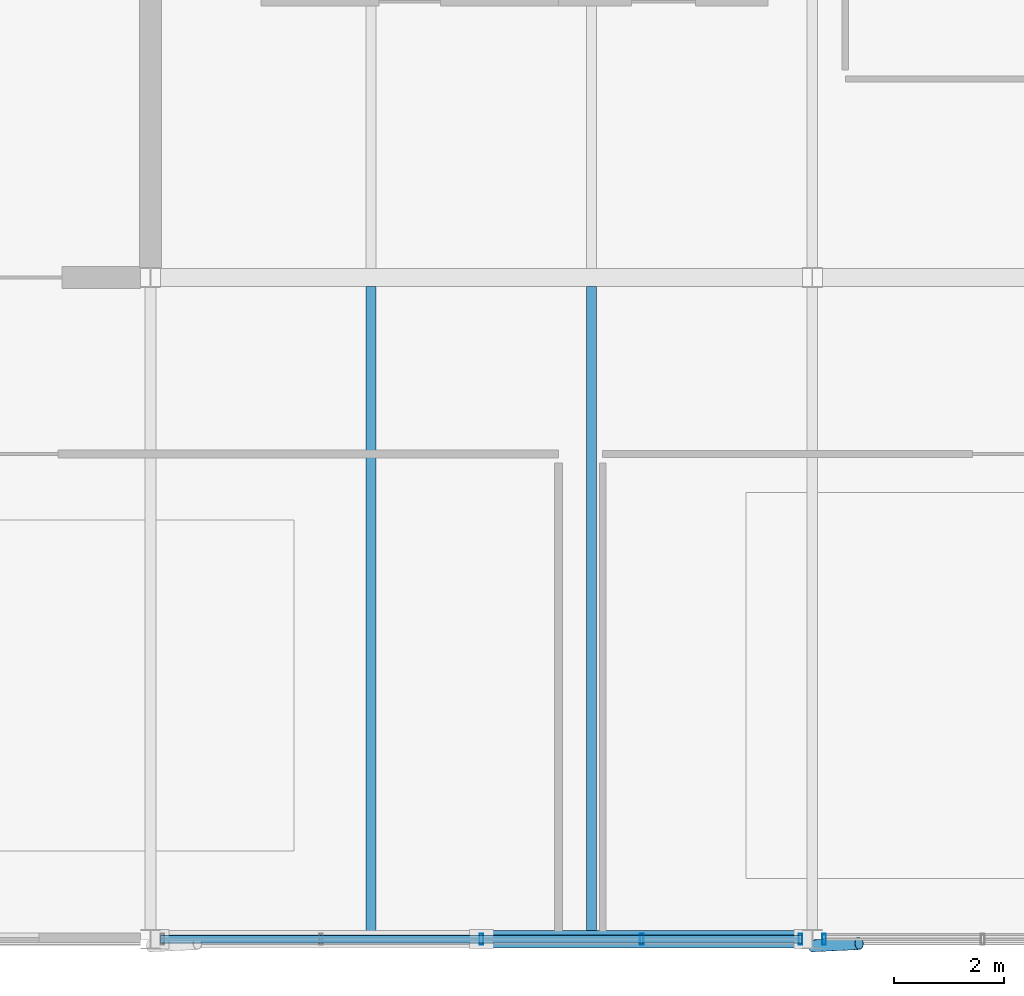
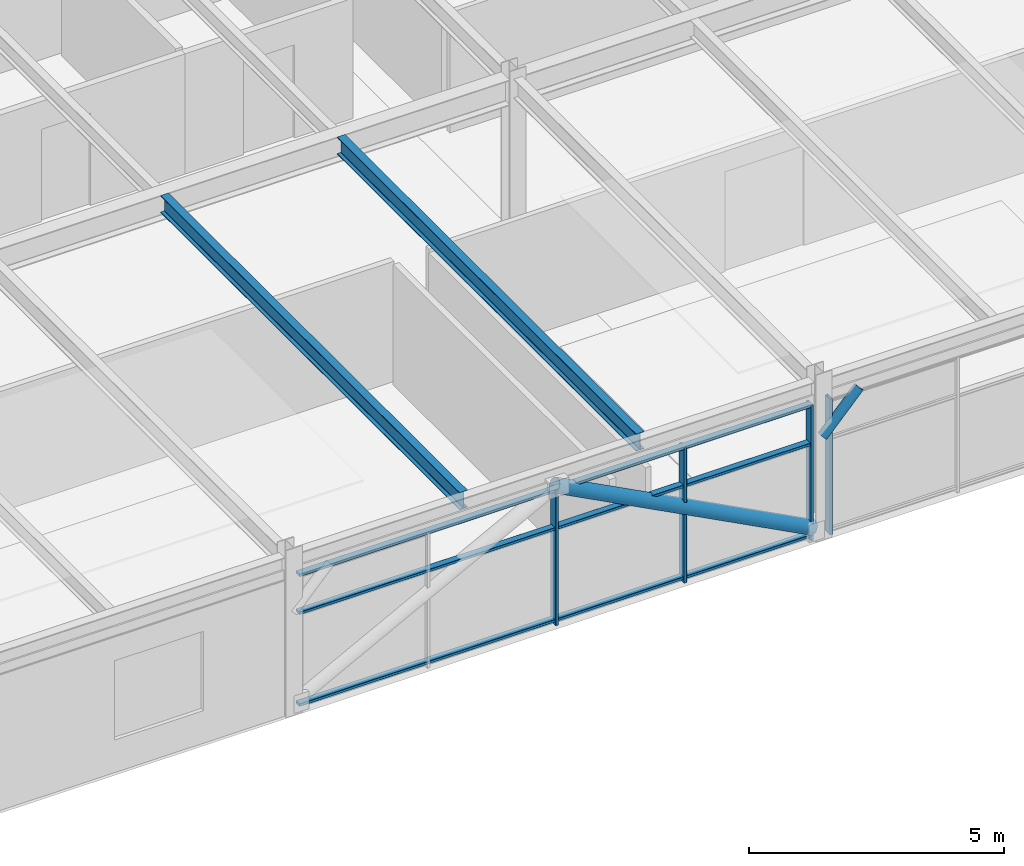
# One storey, part 6 of 23: 9 members, 2 beams, 2 elements without a shape of their own.
"""IFC4 building model written with IfcOpenShell, lengths in metres."""

from ifc_helpers import new_model, si_unit, direction, frame, origin, origin_2d, place, context, subcontext, project, spatial, hollow_rectangle, hollow_circle, i_section, extrude, material, material_profile, profile_set, type_object, element, aggregate, save


model = new_model("IFC4")

# Units and contexts
model_context = context("Model", 3, precision=1e-05, world=origin(), true_north=direction((0.0, 1.0)))
body_context = subcontext(model_context, "Body", "Model", "MODEL_VIEW")
ifc_project = project(units=[si_unit("LENGTHUNIT", "METRE"), si_unit("AREAUNIT", "SQUARE_METRE"), si_unit("VOLUMEUNIT", "CUBIC_METRE"), si_unit("PLANEANGLEUNIT", "RADIAN"), si_unit("MASSUNIT", "GRAM", prefix="KILO")], contexts=[model_context])

# Site, building, storey
site_placement = place(None, origin())
site = spatial("IfcSite", under=ifc_project, at=site_placement, CompositionType="ELEMENT")
building_placement = place(site_placement, origin())
building = spatial("IfcBuilding", under=site, at=building_placement, Name="Girod Span Mobility Hub", CompositionType="ELEMENT")
storey_placement = place(building_placement, frame((0.0, 0.0, 65.60009765625)))
storey = spatial("IfcBuildingStorey", under=building, at=storey_placement, Name="L16", CompositionType="ELEMENT", Elevation=65.60009765625)

# Beams
ifc_material_1 = material(Name="Steel A992 Grade 50", Category="steel")
ifc_material_profile_1 = material_profile(ifc_material_1, i_section(OverallWidth=0.178955078125, OverallDepth=0.409912109375, WebThickness=0.0087890625, FlangeThickness=0.014404296875, FilletRadius=0.012939453125, at=origin_2d()), Name="W16X45")
ifc_profile_set_1 = profile_set([ifc_material_profile_1], Name="Steel A992 Grade 50")
beam_type = type_object("IfcBeamType", Name="BM-STL-W16X45", PredefinedType="BEAM", material=ifc_profile_set_1)
for number, where, z_axis, x_axis, name in (
    (1, (64.0, 45.10302734375, 3.5849609375), (0.0, 1.0, 0.0), (-1.0, 0.0, 0.0), "Composite Floorbeam 6/D-1 L16"),
    (2, (68.0, 45.10302734375, 3.5849609375), (0.0, 1.0, 0.0), (-1.0, 0.0, 0.0), "Composite Floorbeam 6/D-2 L16"),
):
    element("IfcBeam", number, at=place(storey_placement, frame(where, z_axis=z_axis, x_axis=x_axis)), inside=storey, type_object=beam_type, Name=name, PredefinedType="BEAM", context=body_context, shape_type="SweptSolid", body=[
        extrude(i_section(OverallWidth=0.178955078125, OverallDepth=0.409912109375, WebThickness=0.0087890625, FlangeThickness=0.014404296875, FilletRadius=0.012939453125, at=origin_2d()), origin(), (0.0, 0.0, 1.0), 11.738037109375),
    ])

# Curtain wall, members
ifc_material_2 = material(Name="Thermally Broken Anodised Aluminium", Category="aluminium")
curtain_wall_type = type_object("IfcCurtainWallType", Name="CW-1164X325", PredefinedType="USERDEFINED", material=ifc_material_2)
curtain_wall_1_placement = place(storey_placement, origin())
curtain_wall_1 = element("IfcCurtainWall", 3, at=curtain_wall_1_placement, inside=storey, type_object=curtain_wall_type, Name="Unitised Curtain Wall CW-L16-S06 L16", ObjectType="UNITISED CURTAIN WALL", PredefinedType="USERDEFINED")
ifc_material_3 = material(Name="Thermally Broken Anodised Aluminium", Category="aluminium")
ifc_material_profile_2 = material_profile(ifc_material_3, hollow_rectangle(XDim=0.199951171875, YDim=0.06494140625, WallThickness=0.00390625, InnerFilletRadius=0.00390625, OuterFilletRadius=0.008056640625, at=origin_2d()), Name="CW-ML-65X200")
ifc_profile_set_2 = profile_set([ifc_material_profile_2], Name="Thermally Broken Anodised Aluminium")
member_type_1 = type_object("IfcMemberType", Name="CWM-ML-1", PredefinedType="MULLION", material=ifc_profile_set_2)
member_1_placement = place(storey_placement, frame((66.0, 45.0, 0.0), z_axis=(0.0, 0.0, 1.0), x_axis=(0.0, 1.0, 0.0)))
member_1 = element("IfcMember", 4, at=member_1_placement, type_object=member_type_1, Name="Curtain Wall Mullion CW-L16-S06-M2", PredefinedType="MULLION", context=body_context, shape_type="SweptSolid", body=[
    extrude(hollow_rectangle(XDim=0.199951171875, YDim=0.06494140625, WallThickness=0.00390625, InnerFilletRadius=0.00390625, OuterFilletRadius=0.008056640625, at=origin_2d()), origin(), (0.0, 0.0, 1.0), 3.245849609375),
])
member_2_placement = place(storey_placement, frame((68.90869140625, 45.0, 0.0), z_axis=(0.0, 0.0, 1.0), x_axis=(0.0, 1.0, 0.0)))
member_2 = element("IfcMember", 5, at=member_2_placement, type_object=member_type_1, Name="Curtain Wall Mullion CW-L16-S06-M3", PredefinedType="MULLION", context=body_context, shape_type="SweptSolid", body=[
    extrude(hollow_rectangle(XDim=0.199951171875, YDim=0.06494140625, WallThickness=0.00390625, InnerFilletRadius=0.00390625, OuterFilletRadius=0.008056640625, at=origin_2d()), origin(), (0.0, 0.0, 1.0), 3.245849609375),
])
member_3_placement = place(storey_placement, frame((71.785400390625, 45.0, 0.0), z_axis=(0.0, 0.0, 1.0), x_axis=(0.0, 1.0, 0.0)))
member_3 = element("IfcMember", 6, at=member_3_placement, type_object=member_type_1, Name="Curtain Wall Mullion CW-L16-S06-M4", PredefinedType="MULLION", context=body_context, shape_type="SweptSolid", body=[
    extrude(hollow_rectangle(XDim=0.199951171875, YDim=0.06494140625, WallThickness=0.00390625, InnerFilletRadius=0.00390625, OuterFilletRadius=0.008056640625, at=origin_2d()), origin(), (0.0, 0.0, 1.0), 3.245849609375),
])

# Curtain wall, member
curtain_wall_2_placement = place(storey_placement, origin())
curtain_wall_2 = element("IfcCurtainWall", 7, at=curtain_wall_2_placement, inside=storey, type_object=curtain_wall_type, Name="Unitised Curtain Wall CW-L16-S07 L16", ObjectType="UNITISED CURTAIN WALL", PredefinedType="USERDEFINED")
member_4_placement = place(storey_placement, frame((72.214599609375, 45.0, 0.0), z_axis=(0.0, 0.0, 1.0), x_axis=(0.0, 1.0, 0.0)))
member_4 = element("IfcMember", 8, at=member_4_placement, type_object=member_type_1, Name="Curtain Wall Mullion CW-L16-S07-M0", PredefinedType="MULLION", context=body_context, shape_type="SweptSolid", body=[
    extrude(hollow_rectangle(XDim=0.199951171875, YDim=0.06494140625, WallThickness=0.00390625, InnerFilletRadius=0.00390625, OuterFilletRadius=0.008056640625, at=origin_2d()), origin(), (0.0, 0.0, 1.0), 3.245849609375),
])
aggregate(curtain_wall_2, [member_4])

# Member
ifc_material_4 = material(Name="Thermally Broken Anodised Aluminium", Category="aluminium")
ifc_material_profile_3 = material_profile(ifc_material_4, hollow_rectangle(XDim=0.14990234375, YDim=0.06494140625, WallThickness=0.00390625, InnerFilletRadius=0.00390625, OuterFilletRadius=0.008056640625, at=origin_2d()), Name="CW-TR-65X150")
ifc_profile_set_3 = profile_set([ifc_material_profile_3], Name="Thermally Broken Anodised Aluminium")
member_type_2 = type_object("IfcMemberType", Name="CWM-TR-1", PredefinedType="USERDEFINED", material=ifc_profile_set_3)
member_5_placement = place(storey_placement, frame((60.1826171875, 45.0, 0.107421875), z_axis=(1.0, 0.0, 0.0), x_axis=(0.0, 1.0, 0.0)))
member_5 = element("IfcMember", 9, at=member_5_placement, type_object=member_type_2, Name="Curtain Wall Transom CW-L16-S06-T1", ObjectType="TRANSOM", PredefinedType="USERDEFINED", context=body_context, shape_type="SweptSolid", body=[
    extrude(hollow_rectangle(XDim=0.14990234375, YDim=0.06494140625, WallThickness=0.00390625, InnerFilletRadius=0.00390625, OuterFilletRadius=0.008056640625, at=origin_2d()), origin(), (0.0, 0.0, 1.0), 11.634765625),
])

member_6_placement = place(storey_placement, frame((60.1826171875, 45.0, 2.304443359375), z_axis=(1.0, 0.0, 0.0), x_axis=(0.0, 1.0, 0.0)))
member_6 = element("IfcMember", 10, at=member_6_placement, type_object=member_type_2, Name="Curtain Wall Transom CW-L16-S06-T2", ObjectType="TRANSOM", PredefinedType="USERDEFINED", context=body_context, shape_type="SweptSolid", body=[
    extrude(hollow_rectangle(XDim=0.14990234375, YDim=0.06494140625, WallThickness=0.00390625, InnerFilletRadius=0.00390625, OuterFilletRadius=0.008056640625, at=origin_2d()), origin(), (0.0, 0.0, 1.0), 11.634765625),
])

member_7_placement = place(storey_placement, frame((60.1826171875, 45.0, 3.21337890625), z_axis=(1.0, 0.0, 0.0), x_axis=(0.0, 1.0, 0.0)))
member_7 = element("IfcMember", 11, at=member_7_placement, type_object=member_type_2, Name="Curtain Wall Transom CW-L16-S06-T3", ObjectType="TRANSOM", PredefinedType="USERDEFINED", context=body_context, shape_type="SweptSolid", body=[
    extrude(hollow_rectangle(XDim=0.14990234375, YDim=0.06494140625, WallThickness=0.00390625, InnerFilletRadius=0.00390625, OuterFilletRadius=0.008056640625, at=origin_2d()), origin(), (0.0, 0.0, 1.0), 11.634765625),
])

aggregate(curtain_wall_1, [member_1, member_2, member_3, member_5, member_6, member_7])

# Members
ifc_material_5 = material(Name="Steel HSS A500 Grade C", Category="steel")
ifc_material_profile_4 = material_profile(ifc_material_5, hollow_circle(Radius=0.162109375, WallThickness=0.01171875, at=origin_2d()), Name="HSS324X12.7")
ifc_profile_set_4 = profile_set([ifc_material_profile_4], Name="Steel HSS A500 Grade C")
member_type_3 = type_object("IfcMemberType", Name="MB-BR-HSS324", PredefinedType="BRACE", material=ifc_profile_set_4)
member_8_placement = place(storey_placement, frame((71.83544921875, 45.0, 0.25), z_axis=(-0.88587868375, 0.0, 0.463916972827), x_axis=(0.0, -1.0, 0.0)))
element("IfcMember", 12, at=member_8_placement, inside=storey, type_object=member_type_3, Name="Upper Diagrid Brace 6/D-R L16", PredefinedType="BRACE", context=body_context, shape_type="SweptSolid", body=[
    extrude(hollow_circle(Radius=0.162109375, WallThickness=0.01171875, at=origin_2d()), origin(), (0.0, 0.0, 1.0), 6.587158203125),
])
ifc_material_6 = material(Name="Steel HSS A500 Grade C", Category="steel")
ifc_material_profile_5 = material_profile(ifc_material_6, hollow_circle(Radius=0.109619140625, WallThickness=0.0087890625, at=origin_2d()), Name="HSS219X9.5")
ifc_profile_set_5 = profile_set([ifc_material_profile_5], Name="Steel HSS A500 Grade C")
member_type_4 = type_object("IfcMemberType", Name="MB-ST-HSS219", PredefinedType="STRUT", material=ifc_profile_set_5)
member_9_placement = place(storey_placement, frame((72.0, 44.8798828125, 2.449951171875), z_axis=(0.702671876699, 0.03309540143, 0.710743925828), x_axis=(-0.047047213483, 0.998892666758, 0.0)))
element("IfcMember", 13, at=member_9_placement, inside=storey, type_object=member_type_4, Name="Solar Shading Knee Strut 7 L16", PredefinedType="STRUT", context=body_context, shape_type="SweptSolid", body=[
    extrude(hollow_circle(Radius=0.109619140625, WallThickness=0.0087890625, at=origin_2d()), origin(), (0.0, 0.0, 1.0), 1.209716796875),
])

save(model, "model.ifc")
